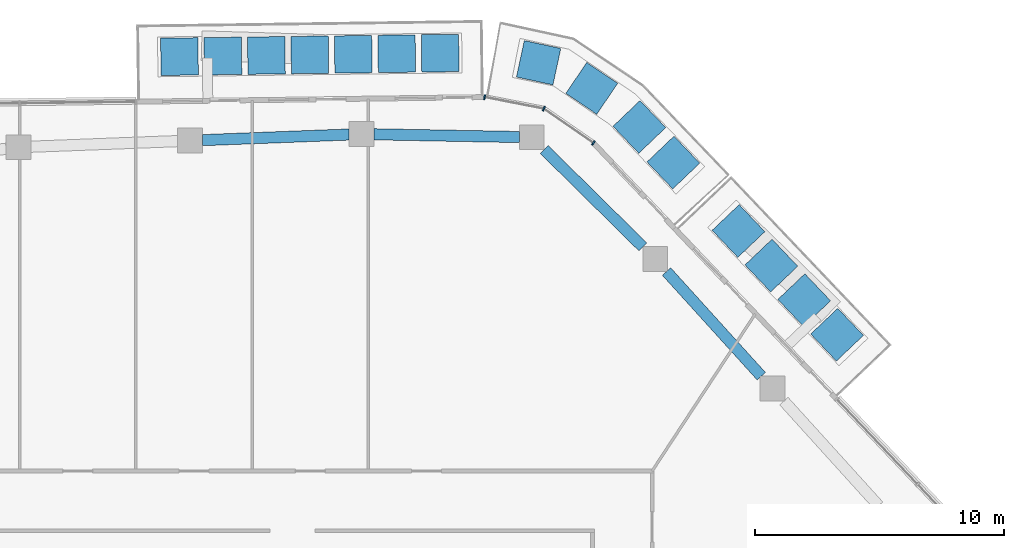
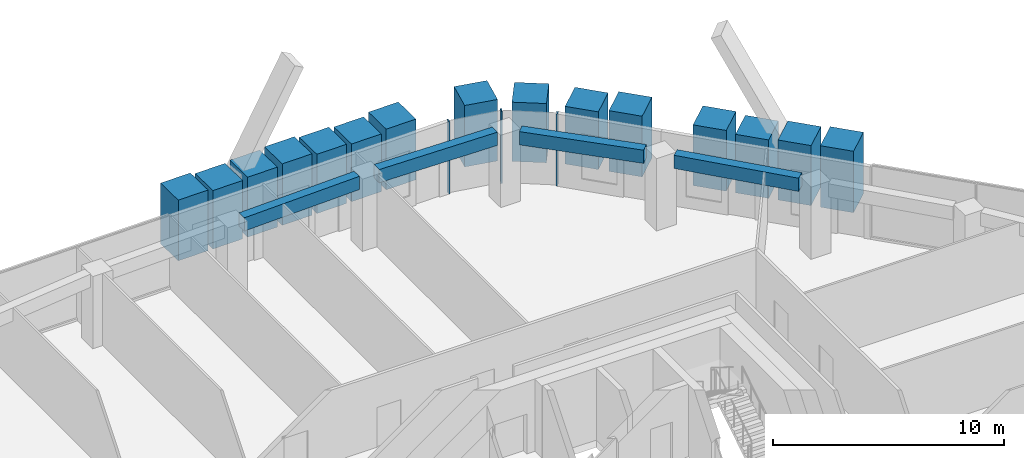
# One storey, part 9 of 23: 18 members, 4 beams, 1 element without a shape of its own.
"""IFC4 building model written with IfcOpenShell, lengths in metres."""

from ifc_helpers import new_model, si_unit, direction, frame, origin, origin_2d, place, context, subcontext, project, spatial, rectangle, extrude, material, layer, layer_set, material_profile, profile_set, type_object, element, aggregate, save


model = new_model("IFC4")

# Units and contexts
model_context = context("Model", 3, precision=1e-05, world=origin(), true_north=direction((0.0, 1.0)))
body_context = subcontext(model_context, "Body", "Model", "MODEL_VIEW")
ifc_project = project(units=[si_unit("LENGTHUNIT", "METRE"), si_unit("AREAUNIT", "SQUARE_METRE"), si_unit("VOLUMEUNIT", "CUBIC_METRE"), si_unit("PLANEANGLEUNIT", "RADIAN"), si_unit("MASSUNIT", "GRAM", prefix="KILO")], contexts=[model_context])

# Site, building, storey
site_placement = place(None, origin())
site = spatial("IfcSite", under=ifc_project, at=site_placement, CompositionType="ELEMENT")
building_placement = place(site_placement, origin())
building = spatial("IfcBuilding", under=site, at=building_placement, Name="Dongbaek Canopy Tower", CompositionType="ELEMENT")
storey_placement = place(building_placement, frame((0.0, 0.0, 340.39990234375)))
storey = spatial("IfcBuildingStorey", under=building, at=storey_placement, Name="L73", CompositionType="ELEMENT", Elevation=340.39990234375)

# Curtain wall, members
ifc_material_1 = material(Name="Aluminium 6063-T6 pale anodised", Category="aluminium")
ifc_layer = layer(ifc_material_1, 0.199951171875)
ifc_layer_set = layer_set([ifc_layer], Name="CW-1 unitised tower curtain wall")
curtain_wall_type = type_object("IfcCurtainWallType", Name="CW-1 unitised tower curtain wall", PredefinedType="NOTDEFINED", material=ifc_layer_set)
curtain_wall_placement = place(storey_placement, origin())
curtain_wall = element("IfcCurtainWall", 1, at=curtain_wall_placement, inside=storey, type_object=curtain_wall_type, Name="CW-1 curtain wall K1.1", PredefinedType="NOTDEFINED")
ifc_material_2 = material(Name="Aluminium 6063-T6 pale anodised", Category="aluminium")
ifc_material_profile_1 = material_profile(ifc_material_2, rectangle(XDim=0.199951171875, YDim=0.06005859375, at=origin_2d()), Name="CW-1 mullion 60 x 200")
ifc_profile_set_1 = profile_set([ifc_material_profile_1], Name="Aluminium 6063-T6 pale anodised")
member_type_1 = type_object("IfcMemberType", Name="CW-1 mullion 60 x 200", PredefinedType="MULLION", material=ifc_profile_set_1)
member_1_placement = place(storey_placement, frame((14.791259765625, 27.33349609375, 0.0), z_axis=(0.0, 0.0, 1.0), x_axis=(0.568695173669, 0.822548356904, 0.0)))
member_1 = element("IfcMember", 2, at=member_1_placement, type_object=member_type_1, Name="CW-1 mullion K1.1.1", PredefinedType="MULLION", context=body_context, shape_type="SweptSolid", body=[
    extrude(rectangle(XDim=0.199951171875, YDim=0.06005859375, at=origin_2d()), origin(), (0.0, 0.0, 1.0), 3.820068359375),
])
member_2_placement = place(storey_placement, frame((12.797607421875, 28.7119140625, 0.0), z_axis=(0.0, 0.0, 1.0), x_axis=(0.388396224954, 0.921492470095, 0.0)))
member_2 = element("IfcMember", 3, at=member_2_placement, type_object=member_type_1, Name="CW-1 mullion K1.1.2", PredefinedType="MULLION", context=body_context, shape_type="SweptSolid", body=[
    extrude(rectangle(XDim=0.199951171875, YDim=0.06005859375, at=origin_2d()), origin(), (0.0, 0.0, 1.0), 3.820068359375),
])
member_3_placement = place(storey_placement, frame((10.4189453125, 29.176513671875, 0.0), z_axis=(0.0, 0.0, 1.0), x_axis=(0.191669029259, 0.981459618743, 0.0)))
member_3 = element("IfcMember", 4, at=member_3_placement, type_object=member_type_1, Name="CW-1 mullion K1.1.3", PredefinedType="MULLION", context=body_context, shape_type="SweptSolid", body=[
    extrude(rectangle(XDim=0.199951171875, YDim=0.06005859375, at=origin_2d()), origin(), (0.0, 0.0, 1.0), 3.820068359375),
])
aggregate(curtain_wall, [member_1, member_2, member_3])

# Beams
ifc_material_3 = material(Name="Concrete C60", Category="concrete")
ifc_material_profile_2 = material_profile(ifc_material_3, rectangle(XDim=0.449951171875, YDim=0.699951171875, at=origin_2d()), Name="RC EDGE BEAM 450x700 C60")
ifc_profile_set_2 = profile_set([ifc_material_profile_2], Name="Concrete C60")
beam_type = type_object("IfcBeamType", Name="RC EDGE BEAM 450x700 C60", PredefinedType="BEAM", material=ifc_profile_set_2)
beam_1_placement = place(storey_placement, frame((-0.91796875, 27.447265625, 3.47021484375), z_axis=(0.999267098379, 0.038278794366, 0.0), x_axis=(-0.038278794366, 0.999267098379, 0.0)))
element("IfcBeam", 5, at=beam_1_placement, inside=storey, type_object=beam_type, Name="EDGEBEAM:L73:15", PredefinedType="BEAM", context=body_context, shape_type="SweptSolid", body=[
    extrude(rectangle(XDim=0.449951171875, YDim=0.699951171875, at=origin_2d()), origin(), (0.0, 0.0, 1.0), 5.893310546875),
])
beam_2_placement = place(storey_placement, frame((5.970947265625, 27.6826171875, 3.47021484375), z_axis=(0.99982249395, -0.018840928625, 0.0), x_axis=(0.018840928625, 0.99982249395, 0.0)))
element("IfcBeam", 6, at=beam_2_placement, inside=storey, type_object=beam_type, Name="EDGEBEAM:L73:16", PredefinedType="BEAM", context=body_context, shape_type="SweptSolid", body=[
    extrude(rectangle(XDim=0.449951171875, YDim=0.699951171875, at=origin_2d()), origin(), (0.0, 0.0, 1.0), 5.843994140625),
])
beam_3_placement = place(storey_placement, frame((12.81396484375, 27.069580078125, 3.47021484375), z_axis=(0.711740530271, -0.702442465665, 0.0), x_axis=(0.702442465665, 0.711740530271, 0.0)))
element("IfcBeam", 7, at=beam_3_placement, inside=storey, type_object=beam_type, Name="EDGEBEAM:L73:17", PredefinedType="BEAM", context=body_context, shape_type="SweptSolid", body=[
    extrude(rectangle(XDim=0.449951171875, YDim=0.699951171875, at=origin_2d()), origin(), (0.0, 0.0, 1.0), 5.56640625),
])
beam_4_placement = place(storey_placement, frame((17.72900390625, 22.166015625, 3.47021484375), z_axis=(0.67133921348, -0.741150227986, 0.0), x_axis=(0.741150227986, 0.67133921348, 0.0)))
element("IfcBeam", 8, at=beam_4_placement, inside=storey, type_object=beam_type, Name="EDGEBEAM:L73:18", PredefinedType="BEAM", context=body_context, shape_type="SweptSolid", body=[
    extrude(rectangle(XDim=0.449951171875, YDim=0.699951171875, at=origin_2d()), origin(), (0.0, 0.0, 1.0), 5.67236328125),
])

# Members
ifc_material_4 = material(Name="Concrete C40/50 planter mass with planting", Category="concrete")
ifc_material_profile_3 = material_profile(ifc_material_4, rectangle(XDim=1.5, YDim=1.5, at=origin_2d()), Name="Terrace PLANTER shrub mass 1500 x 1500")
ifc_profile_set_3 = profile_set([ifc_material_profile_3], Name="Concrete C40/50 planter mass with planting")
member_type_2 = type_object("IfcMemberType", Name="Terrace PLANTER shrub mass 1500 x 1500", PredefinedType="USERDEFINED", material=ifc_profile_set_3)
member_4_placement = place(storey_placement, frame((24.581298828125, 19.628662109375, 0.420166015625), z_axis=(0.0, 0.0, 1.0), x_axis=(0.724939653857, 0.688812382486, 0.0)))
element("IfcMember", 9, at=member_4_placement, inside=storey, type_object=member_type_2, Name="Planter shrubs L73 1.1", ObjectType="PLANTER", PredefinedType="USERDEFINED", context=body_context, shape_type="SweptSolid", body=[
    extrude(rectangle(XDim=1.5, YDim=1.5, at=origin_2d()), origin(), (0.0, 0.0, 1.0), 3.25),
])
member_5_placement = place(storey_placement, frame((23.261474609375, 21.017822265625, 0.420166015625), z_axis=(0.0, 0.0, 1.0), x_axis=(0.724939653857, 0.688812382486, 0.0)))
element("IfcMember", 10, at=member_5_placement, inside=storey, type_object=member_type_2, Name="Planter shrubs L73 1.2", ObjectType="PLANTER", PredefinedType="USERDEFINED", context=body_context, shape_type="SweptSolid", body=[
    extrude(rectangle(XDim=1.5, YDim=1.5, at=origin_2d()), origin(), (0.0, 0.0, 1.0), 3.169921875),
])
member_6_placement = place(storey_placement, frame((21.94140625, 22.406982421875, 0.420166015625), z_axis=(0.0, 0.0, 1.0), x_axis=(0.724939653857, 0.688812382486, 0.0)))
element("IfcMember", 11, at=member_6_placement, inside=storey, type_object=member_type_2, Name="Planter shrubs L73 1.3", ObjectType="PLANTER", PredefinedType="USERDEFINED", context=body_context, shape_type="SweptSolid", body=[
    extrude(rectangle(XDim=1.5, YDim=1.5, at=origin_2d()), origin(), (0.0, 0.0, 1.0), 3.08984375),
])
for number, where, z_axis, x_axis, name in (
    (12, (20.621337890625, 23.796142578125, 0.420166015625), (0.0, 0.0, 1.0), (0.724939653857, 0.688812382486, 0.0), "Planter shrubs L73 1.4"),
    (13, (18.004150390625, 26.54736328125, 0.420166015625), (0.0, 0.0, 1.0), (0.723377989855, 0.690452231363, 0.0), "Planter shrubs L73 6.1"),
):
    element("IfcMember", number, at=place(storey_placement, frame(where, z_axis=z_axis, x_axis=x_axis)), inside=storey, type_object=member_type_2, Name=name, ObjectType="PLANTER", PredefinedType="USERDEFINED", context=body_context, shape_type="SweptSolid", body=[
        extrude(rectangle(XDim=1.5, YDim=1.5, at=origin_2d()), origin(), (0.0, 0.0, 1.0), 3.2099609375),
    ])
member_7_placement = place(storey_placement, frame((16.638427734375, 27.978515625, 0.420166015625), z_axis=(0.0, 0.0, 1.0), x_axis=(0.723377989855, 0.690452231363, 0.0)))
element("IfcMember", 14, at=member_7_placement, inside=storey, type_object=member_type_2, Name="Planter shrubs L73 6.2", ObjectType="PLANTER", PredefinedType="USERDEFINED", context=body_context, shape_type="SweptSolid", body=[
    extrude(rectangle(XDim=1.5, YDim=1.5, at=origin_2d()), origin(), (0.0, 0.0, 1.0), 3.050048828125),
])
member_8_placement = place(storey_placement, frame((14.724609375, 29.528564453125, 0.420166015625), z_axis=(0.0, 0.0, 1.0), x_axis=(0.561265947653, 0.82763550915, 0.0)))
element("IfcMember", 15, at=member_8_placement, inside=storey, type_object=member_type_2, Name="Planter shrubs L73 6.3", ObjectType="PLANTER", PredefinedType="USERDEFINED", context=body_context, shape_type="SweptSolid", body=[
    extrude(rectangle(XDim=1.5, YDim=1.5, at=origin_2d()), origin(), (0.0, 0.0, 1.0), 3.1298828125),
])
member_9_placement = place(storey_placement, frame((12.5888671875, 30.558349609375, 0.420166015625), z_axis=(0.0, 0.0, 1.0), x_axis=(0.210585017012, 0.977575547265, 0.0)))
element("IfcMember", 16, at=member_9_placement, inside=storey, type_object=member_type_2, Name="Planter shrubs L73 6.4", ObjectType="PLANTER", PredefinedType="USERDEFINED", context=body_context, shape_type="SweptSolid", body=[
    extrude(rectangle(XDim=1.5, YDim=1.5, at=origin_2d()), origin(), (0.0, 0.0, 1.0), 3.25),
])
member_10_placement = place(storey_placement, frame((8.632568359375, 30.943115234375, 0.420166015625), z_axis=(0.0, 0.0, 1.0), x_axis=(-0.013165315653, 0.999913333476, 0.0)))
element("IfcMember", 17, at=member_10_placement, inside=storey, type_object=member_type_2, Name="Planter shrubs L73 2.1", ObjectType="PLANTER", PredefinedType="USERDEFINED", context=body_context, shape_type="SweptSolid", body=[
    extrude(rectangle(XDim=1.5, YDim=1.5, at=origin_2d()), origin(), (0.0, 0.0, 1.0), 3.2099609375),
])
member_11_placement = place(storey_placement, frame((6.886474609375, 30.920166015625, 0.420166015625), z_axis=(0.0, 0.0, 1.0), x_axis=(-0.013165315653, 0.999913333476, 0.0)))
element("IfcMember", 18, at=member_11_placement, inside=storey, type_object=member_type_2, Name="Planter shrubs L73 2.2", ObjectType="PLANTER", PredefinedType="USERDEFINED", context=body_context, shape_type="SweptSolid", body=[
    extrude(rectangle(XDim=1.5, YDim=1.5, at=origin_2d()), origin(), (0.0, 0.0, 1.0), 3.050048828125),
])
member_12_placement = place(storey_placement, frame((5.140380859375, 30.897216796875, 0.420166015625), z_axis=(0.0, 0.0, 1.0), x_axis=(-0.013165315653, 0.999913333476, 0.0)))
element("IfcMember", 19, at=member_12_placement, inside=storey, type_object=member_type_2, Name="Planter shrubs L73 2.3", ObjectType="PLANTER", PredefinedType="USERDEFINED", context=body_context, shape_type="SweptSolid", body=[
    extrude(rectangle(XDim=1.5, YDim=1.5, at=origin_2d()), origin(), (0.0, 0.0, 1.0), 3.1298828125),
])
member_13_placement = place(storey_placement, frame((3.394287109375, 30.8740234375, 0.420166015625), z_axis=(0.0, 0.0, 1.0), x_axis=(-0.013165315653, 0.999913333476, 0.0)))
element("IfcMember", 20, at=member_13_placement, inside=storey, type_object=member_type_2, Name="Planter shrubs L73 2.4", ObjectType="PLANTER", PredefinedType="USERDEFINED", context=body_context, shape_type="SweptSolid", body=[
    extrude(rectangle(XDim=1.5, YDim=1.5, at=origin_2d()), origin(), (0.0, 0.0, 1.0), 3.25),
])
member_14_placement = place(storey_placement, frame((1.648193359375, 30.85107421875, 0.420166015625), z_axis=(0.0, 0.0, 1.0), x_axis=(-0.013165315653, 0.999913333476, 0.0)))
element("IfcMember", 21, at=member_14_placement, inside=storey, type_object=member_type_2, Name="Planter shrubs L73 2.5", ObjectType="PLANTER", PredefinedType="USERDEFINED", context=body_context, shape_type="SweptSolid", body=[
    extrude(rectangle(XDim=1.5, YDim=1.5, at=origin_2d()), origin(), (0.0, 0.0, 1.0), 3.169921875),
])
member_15_placement = place(storey_placement, frame((-0.097900390625, 30.828125, 0.420166015625), z_axis=(0.0, 0.0, 1.0), x_axis=(-0.013165315653, 0.999913333476, 0.0)))
element("IfcMember", 22, at=member_15_placement, inside=storey, type_object=member_type_2, Name="Planter shrubs L73 2.6", ObjectType="PLANTER", PredefinedType="USERDEFINED", context=body_context, shape_type="SweptSolid", body=[
    extrude(rectangle(XDim=1.5, YDim=1.5, at=origin_2d()), origin(), (0.0, 0.0, 1.0), 3.08984375),
])
member_16_placement = place(storey_placement, frame((-1.843994140625, 30.80517578125, 0.420166015625), z_axis=(0.0, 0.0, 1.0), x_axis=(-0.013165315653, 0.999913333476, 0.0)))
element("IfcMember", 23, at=member_16_placement, inside=storey, type_object=member_type_2, Name="Planter shrubs L73 2.7", ObjectType="PLANTER", PredefinedType="USERDEFINED", context=body_context, shape_type="SweptSolid", body=[
    extrude(rectangle(XDim=1.5, YDim=1.5, at=origin_2d()), origin(), (0.0, 0.0, 1.0), 3.2099609375),
])

save(model, "model.ifc")
